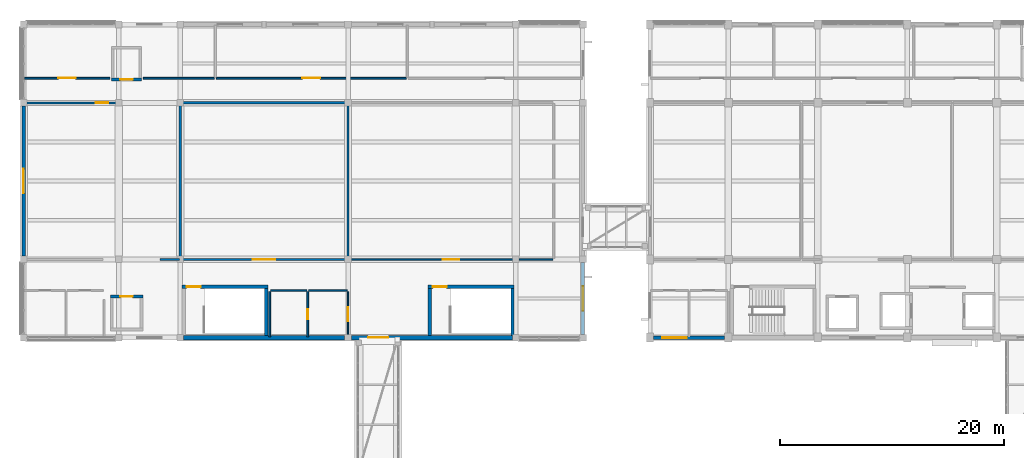
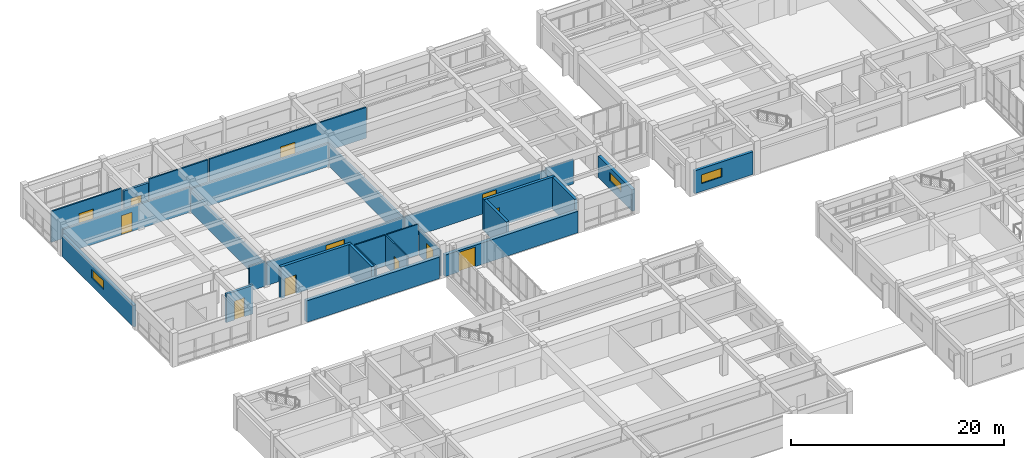
# One storey, part 46 of 66: 28 walls, 12 doors, 3 windows, 15 openings.
"""IFC4 building model written with IfcOpenShell, lengths in metres."""

from ifc_helpers import new_model, si_unit, direction, frame, frame_2d, origin, place, context, subcontext, project, spatial, rectangle, extrude, material, layer, layer_set, type_object, element, fill, save


model = new_model("IFC4")

# Units and contexts
model_context = context("Model", 3, precision=1e-05, world=origin(), true_north=direction((0.0, 1.0)))
body_context = subcontext(model_context, "Body", "Model", "MODEL_VIEW")
ifc_project = project(units=[si_unit("LENGTHUNIT", "METRE"), si_unit("AREAUNIT", "SQUARE_METRE"), si_unit("VOLUMEUNIT", "CUBIC_METRE"), si_unit("PLANEANGLEUNIT", "RADIAN"), si_unit("MASSUNIT", "GRAM", prefix="KILO")], contexts=[model_context])

# Site, building, storey
site_placement = place(None, origin())
site = spatial("IfcSite", under=ifc_project, at=site_placement, CompositionType="ELEMENT")
building_placement = place(site_placement, origin())
building = spatial("IfcBuilding", under=site, at=building_placement, Name="Naurynzar Civic Courthouse", CompositionType="ELEMENT")
storey_placement = place(building_placement, frame((0.0, 0.0, 14.39990234375)))
storey = spatial("IfcBuildingStorey", under=building, at=storey_placement, Name="L04", CompositionType="ELEMENT", Elevation=14.39990234375)

# Wall, opening, door
ifc_material_1 = material(Name="Acoustic Double-Stud Gypsum Partition")
ifc_layer_1 = layer(ifc_material_1, 0.18994140625)
ifc_layer_set_1 = layer_set([ifc_layer_1], Name="WL-ACOUSTIC-190")
wall_type_1 = type_object("IfcWallType", Name="WL-ACOUSTIC-190", PredefinedType="PARTITIONING", material=ifc_layer_set_1)
wall_1_placement = place(storey_placement, frame((20.080078125, 51.0, 0.0), z_axis=(0.0, 0.0, 1.0), x_axis=(1.0, 0.0, 0.0)))
wall_1 = element("IfcWall", 1, at=wall_1_placement, inside=storey, type_object=wall_type_1, Name="V1 interior partition L04.482", PredefinedType="PARTITIONING", context=body_context, shape_type="SweptSolid", body=[
    extrude(rectangle(XDim=14.83984375, YDim=0.18994140625, at=frame_2d((7.419921875, 0.0))), origin(), (0.0, 0.0, 1.0), 2.630126953125),
])
opening_1_placement = place(wall_1_placement, frame((6.419921875, 0.0, 0.0)))
opening_1 = element("IfcOpeningElement", 2, at=opening_1_placement, cuts=wall_1, Name="Opening D-043", PredefinedType="OPENING", context=body_context, shape_type="SweptSolid", body=[
    extrude(rectangle(XDim=2.0, YDim=2.35009765625, at=frame_2d((1.0, 1.175048828125))), frame((0.0, 0.10498046875, 0.0), z_axis=(0.0, -1.0, 0.0), x_axis=(1.0, 0.0, 0.0)), (0.0, 0.0, 1.0), 0.2099609375),
])
ifc_material_2 = material(Name="Acoustic Oak Timber Grade A", Category="wood")
door_type_1 = type_object("IfcDoorType", Name="DR-COURT-DBL-2000x2350", OperationType="DOUBLE_DOOR_SINGLE_SWING", PredefinedType="DOOR", material=ifc_material_2)
door_1_placement = place(opening_1_placement, origin())
door_1 = element("IfcDoor", 3, at=door_1_placement, inside=storey, type_object=door_type_1, Name="Interior door D-043 (Appellate Plenary Hearing Courtroom)", OperationType="DOUBLE_DOOR_SINGLE_SWING", OverallHeight=2.35009765625, OverallWidth=2.0, PredefinedType="DOOR", context=body_context, shape_type="SweptSolid", body=[
    extrude(rectangle(XDim=2.0, YDim=2.35009765625, at=frame_2d((1.0, 1.175048828125))), frame((0.0, 0.02490234375, 0.0), z_axis=(0.0, -1.0, 0.0), x_axis=(1.0, 0.0, 0.0)), (0.0, 0.0, 1.0), 0.050048828125),
])
fill(opening_1, door_1)

# Walls
wall_2_placement = place(storey_placement, frame((20.080078125, 65.0, 0.0), z_axis=(0.0, 0.0, 1.0), x_axis=(1.0, 0.0, 0.0)))
element("IfcWall", 4, at=wall_2_placement, inside=storey, type_object=wall_type_1, Name="V1 interior partition L04.494", PredefinedType="PARTITIONING", context=body_context, shape_type="SweptSolid", body=[
    extrude(rectangle(XDim=14.83984375, YDim=0.18994140625, at=frame_2d((7.419921875, 0.0))), origin(), (0.0, 0.0, 1.0), 2.630126953125),
])
for number, where, z_axis, x_axis, name in (
    (5, (20.0, 51.080078125, 0.0), (0.0, 0.0, 1.0), (0.0, 1.0, 0.0), "V1 interior partition L04.517"),
    (6, (35.0, 51.080078125, 0.0), (0.0, 0.0, 1.0), (0.0, 1.0, 0.0), "V1 interior partition L04.525"),
):
    element("IfcWall", number, at=place(storey_placement, frame(where, z_axis=z_axis, x_axis=x_axis)), inside=storey, type_object=wall_type_1, Name=name, PredefinedType="PARTITIONING", context=body_context, shape_type="SweptSolid", body=[
        extrude(rectangle(XDim=13.83984375, YDim=0.18994140625, at=frame_2d((6.919921875, 0.0))), origin(), (0.0, 0.0, 1.0), 2.47998046875),
    ])

# Wall, opening, door
ifc_material_3 = material(Name="Concrete C40/50", Category="concrete")
ifc_layer_2 = layer(ifc_material_3, 0.300048828125)
ifc_layer_set_2 = layer_set([ifc_layer_2], Name="WL-CORE-300")
wall_type_2 = type_object("IfcWallType", Name="WL-CORE-300", PredefinedType="SHEAR", material=ifc_layer_set_2)
wall_3_placement = place(storey_placement, frame((27.85009765625, 48.550048828125, 0.0), z_axis=(0.0, 0.0, 1.0), x_axis=(-1.0, 0.0, 0.0)))
wall_3 = element("IfcWall", 7, at=wall_3_placement, inside=storey, type_object=wall_type_2, Name="Stair ST-V1A enclosure wall north L04", PredefinedType="SHEAR", context=body_context, shape_type="SweptSolid", body=[
    extrude(rectangle(XDim=7.7001953125, YDim=0.300048828125, at=frame_2d((3.85009765625, 0.0))), origin(), (0.0, 0.0, 1.0), 3.6201171875),
])
opening_2_placement = place(wall_3_placement, frame((6.02490234375, 0.0, 0.0)))
opening_2 = element("IfcOpeningElement", 8, at=opening_2_placement, cuts=wall_3, Name="Opening SD-005", PredefinedType="OPENING", context=body_context, shape_type="SweptSolid", body=[
    extrude(rectangle(XDim=1.25, YDim=2.14990234375, at=frame_2d((0.625, 1.074951171875))), frame((0.0, 0.159912109375, 0.0), z_axis=(0.0, -1.0, 0.0), x_axis=(1.0, 0.0, 0.0)), (0.0, 0.0, 1.0), 0.320068359375),
])
ifc_material_4 = material(Name="Powder-Coated Galvanised Steel", Category="steel")
door_type_2 = type_object("IfcDoorType", Name="DR-STAIR-1250x2150", OperationType="NOTDEFINED", PredefinedType="DOOR", material=ifc_material_4)
door_2_placement = place(opening_2_placement, origin())
door_2 = element("IfcDoor", 9, at=door_2_placement, inside=storey, type_object=door_type_2, Name="Stair ST-V1A fire door L04", OperationType="SINGLE_SWING_LEFT", OverallHeight=2.14990234375, OverallWidth=1.25, PredefinedType="DOOR", context=body_context, shape_type="SweptSolid", body=[
    extrude(rectangle(XDim=1.25, YDim=2.14990234375, at=frame_2d((0.625, 1.074951171875))), frame((0.0, 0.02490234375, 0.0), z_axis=(0.0, -1.0, 0.0), x_axis=(1.0, 0.0, 0.0)), (0.0, 0.0, 1.0), 0.050048828125),
])
fill(opening_2, door_2)

# Wall
wall_4_placement = place(storey_placement, frame((27.699951171875, 44.195068359375, 0.0), z_axis=(0.0, 0.0, 1.0), x_axis=(0.0, 1.0, 0.0)))
element("IfcWall", 10, at=wall_4_placement, inside=storey, type_object=wall_type_2, Name="Stair ST-V1A enclosure wall east L04", PredefinedType="SHEAR", context=body_context, shape_type="SweptSolid", body=[
    extrude(rectangle(XDim=4.199951171875, YDim=0.300048828125, at=frame_2d((2.10009765625, 0.0))), origin(), (0.0, 0.0, 1.0), 3.6201171875),
])

# Wall, opening, door
wall_5_placement = place(storey_placement, frame((49.85009765625, 48.550048828125, 0.0), z_axis=(0.0, 0.0, 1.0), x_axis=(-1.0, 0.0, 0.0)))
wall_5 = element("IfcWall", 11, at=wall_5_placement, inside=storey, type_object=wall_type_2, Name="Stair ST-V1B enclosure wall north L04", PredefinedType="SHEAR", context=body_context, shape_type="SweptSolid", body=[
    extrude(rectangle(XDim=7.7001953125, YDim=0.300048828125, at=frame_2d((3.85009765625, 0.0))), origin(), (0.0, 0.0, 1.0), 3.6201171875),
])
opening_3_placement = place(wall_5_placement, frame((6.02490234375, 0.0, 0.0)))
opening_3 = element("IfcOpeningElement", 12, at=opening_3_placement, cuts=wall_5, Name="Opening SD-010", PredefinedType="OPENING", context=body_context, shape_type="SweptSolid", body=[
    extrude(rectangle(XDim=1.25, YDim=2.14990234375, at=frame_2d((0.625, 1.074951171875))), frame((0.0, 0.159912109375, 0.0), z_axis=(0.0, -1.0, 0.0), x_axis=(1.0, 0.0, 0.0)), (0.0, 0.0, 1.0), 0.320068359375),
])
door_3_placement = place(opening_3_placement, origin())
door_3 = element("IfcDoor", 13, at=door_3_placement, inside=storey, type_object=door_type_2, Name="Stair ST-V1B fire door L04", OperationType="SINGLE_SWING_RIGHT", OverallHeight=2.14990234375, OverallWidth=1.25, PredefinedType="DOOR", context=body_context, shape_type="SweptSolid", body=[
    extrude(rectangle(XDim=1.25, YDim=2.14990234375, at=frame_2d((0.625, 1.074951171875))), frame((0.0, 0.02490234375, 0.0), z_axis=(0.0, -1.0, 0.0), x_axis=(1.0, 0.0, 0.0)), (0.0, 0.0, 1.0), 0.050048828125),
])
fill(opening_3, door_3)

# Walls
for number, where, z_axis, x_axis, name in (
    (14, (42.300048828125, 48.39501953125, 0.0), (0.0, 0.0, 1.0), (0.0, -1.0, 0.0), "Stair ST-V1B enclosure wall west L04"),
    (15, (49.699951171875, 44.195068359375, 0.0), (0.0, 0.0, 1.0), (0.0, 1.0, 0.0), "Stair ST-V1B enclosure wall east L04"),
):
    element("IfcWall", number, at=place(storey_placement, frame(where, z_axis=z_axis, x_axis=x_axis)), inside=storey, type_object=wall_type_2, Name=name, PredefinedType="SHEAR", context=body_context, shape_type="SweptSolid", body=[
        extrude(rectangle(XDim=4.199951171875, YDim=0.300048828125, at=frame_2d((2.10009765625, 0.0))), origin(), (0.0, 0.0, 1.0), 3.6201171875),
    ])

# Wall, opening, window
ifc_material_5 = material(Name="Precast concrete C40/50", Category="concrete")
ifc_layer_3 = layer(ifc_material_5, 0.300048828125)
ifc_layer_set_3 = layer_set([ifc_layer_3], Name="WL-EXT-300")
wall_type_3 = type_object("IfcWallType", Name="WL-EXT-300", PredefinedType="SOLIDWALL", material=ifc_layer_set_3)
wall_6_placement = place(storey_placement, frame((68.675048828125, 44.0, 0.0), z_axis=(0.0, 0.0, 1.0), x_axis=(-1.0, 0.0, 0.0)))
wall_6 = element("IfcWall", 16, at=wall_6_placement, inside=storey, type_object=wall_type_3, Name="V2 exterior wall south L04.8.1", PredefinedType="SOLIDWALL", context=body_context, shape_type="SweptSolid", body=[
    extrude(rectangle(XDim=6.35009765625, YDim=0.300048828125, at=frame_2d((3.175048828125, 0.0))), origin(), (0.0, 0.0, 1.0), 2.610107421875),
])
opening_4_placement = place(wall_6_placement, frame((3.39501953125, 0.0, 0.89990234375)))
opening_4 = element("IfcOpeningElement", 17, at=opening_4_placement, cuts=wall_6, Name="Opening WN-18", PredefinedType="OPENING", context=body_context, shape_type="SweptSolid", body=[
    extrude(rectangle(XDim=2.199951171875, YDim=1.0, at=frame_2d((1.10009765625, 0.5))), frame((0.0, 0.159912109375, 0.0), z_axis=(0.0, -1.0, 0.0), x_axis=(1.0, 0.0, 0.0)), (0.0, 0.0, 1.0), 0.320068359375),
])
ifc_material_6 = material(Name="Tempered Laminated Low-E Glass", Category="glass")
window_type = type_object("IfcWindowType", Name="WIN-CLER-2200x1000", PartitioningType="DOUBLE_PANEL_VERTICAL", PredefinedType="WINDOW", material=ifc_material_6)
window_1_placement = place(opening_4_placement, origin())
window_1 = element("IfcWindow", 18, at=window_1_placement, inside=storey, type_object=window_type, Name="V2 window 81 L04", OverallHeight=1.0, OverallWidth=2.199951171875, PartitioningType="SINGLE_PANEL", PredefinedType="WINDOW", context=body_context, shape_type="SweptSolid", body=[
    extrude(rectangle(XDim=2.199951171875, YDim=1.0, at=frame_2d((1.10009765625, 0.5))), frame((0.0, 0.030029296875, 0.0), z_axis=(0.0, -1.0, 0.0), x_axis=(1.0, 0.0, 0.0)), (0.0, 0.0, 1.0), 0.06005859375),
])
fill(opening_4, window_1)

ifc_material_7 = material(Name="Precast concrete C40/50", Category="concrete")
ifc_layer_4 = layer(ifc_material_7, 0.320068359375)
ifc_layer_set_4 = layer_set([ifc_layer_4], Name="WL-EXT-320")
wall_type_4 = type_object("IfcWallType", Name="WL-EXT-320", PredefinedType="SOLIDWALL", material=ifc_layer_set_4)
wall_7_placement = place(storey_placement, frame((6.0, 51.300048828125, 0.0), z_axis=(0.0, 0.0, 1.0), x_axis=(0.0, 1.0, 0.0)))
wall_7 = element("IfcWall", 19, at=wall_7_placement, inside=storey, type_object=wall_type_4, Name="V1 exterior wall west L04.2.1", PredefinedType="SOLIDWALL", context=body_context, shape_type="SweptSolid", body=[
    extrude(rectangle(XDim=13.39990234375, YDim=0.320068359375, at=frame_2d((6.699951171875, 0.0))), origin(), (0.0, 0.0, 1.0), 2.460205078125),
])
opening_5_placement = place(wall_7_placement, frame((5.60009765625, 0.0, 0.89990234375)))
opening_5 = element("IfcOpeningElement", 20, at=opening_5_placement, cuts=wall_7, Name="Opening WN-18", PredefinedType="OPENING", context=body_context, shape_type="SweptSolid", body=[
    extrude(rectangle(XDim=2.199951171875, YDim=1.0, at=frame_2d((1.10009765625, 0.5))), frame((0.0, 0.169921875, 0.0), z_axis=(0.0, -1.0, 0.0), x_axis=(1.0, 0.0, 0.0)), (0.0, 0.0, 1.0), 0.340087890625),
])
window_2_placement = place(opening_5_placement, origin())
window_2 = element("IfcWindow", 21, at=window_2_placement, inside=storey, type_object=window_type, Name="V1 window 30 L04", OverallHeight=1.0, OverallWidth=2.199951171875, PartitioningType="SINGLE_PANEL", PredefinedType="WINDOW", context=body_context, shape_type="SweptSolid", body=[
    extrude(rectangle(XDim=2.199951171875, YDim=1.0, at=frame_2d((1.10009765625, 0.5))), frame((0.0, 0.030029296875, 0.0), z_axis=(0.0, -1.0, 0.0), x_axis=(1.0, 0.0, 0.0)), (0.0, 0.0, 1.0), 0.06005859375),
])
fill(opening_5, window_2)

wall_8_placement = place(storey_placement, frame((56.0, 50.699951171875, 0.0), z_axis=(0.0, 0.0, 1.0), x_axis=(0.0, -1.0, 0.0)))
wall_8 = element("IfcWall", 22, at=wall_8_placement, inside=storey, type_object=wall_type_4, Name="V1 exterior wall east L04.3.1", PredefinedType="SOLIDWALL", context=body_context, shape_type="SweptSolid", body=[
    extrude(rectangle(XDim=6.39990234375, YDim=0.320068359375, at=frame_2d((3.199951171875, 0.0))), origin(), (0.0, 0.0, 1.0), 2.460205078125),
])
opening_6_placement = place(wall_8_placement, frame((2.10009765625, 0.0, 0.89990234375)))
opening_6 = element("IfcOpeningElement", 23, at=opening_6_placement, cuts=wall_8, Name="Opening WN-18", PredefinedType="OPENING", context=body_context, shape_type="SweptSolid", body=[
    extrude(rectangle(XDim=2.199951171875, YDim=1.0, at=frame_2d((1.10009765625, 0.5))), frame((0.0, 0.169921875, 0.0), z_axis=(0.0, -1.0, 0.0), x_axis=(1.0, 0.0, 0.0)), (0.0, 0.0, 1.0), 0.340087890625),
])
window_3_placement = place(opening_6_placement, origin())
window_3 = element("IfcWindow", 24, at=window_3_placement, inside=storey, type_object=window_type, Name="V1 window 37 L04", OverallHeight=1.0, OverallWidth=2.199951171875, PartitioningType="SINGLE_PANEL", PredefinedType="WINDOW", context=body_context, shape_type="SweptSolid", body=[
    extrude(rectangle(XDim=2.199951171875, YDim=1.0, at=frame_2d((1.10009765625, 0.5))), frame((0.0, 0.030029296875, 0.0), z_axis=(0.0, -1.0, 0.0), x_axis=(1.0, 0.0, 0.0)), (0.0, 0.0, 1.0), 0.06005859375),
])
fill(opening_6, window_3)

# Wall, opening, door
ifc_material_8 = material(Name="Insulated Metal-Stud Gypsum Partition")
ifc_layer_5 = layer(ifc_material_8, 0.159912109375)
ifc_layer_set_5 = layer_set([ifc_layer_5], Name="WL-PART-CHAMB-160")
wall_type_5 = type_object("IfcWallType", Name="WL-PART-CHAMB-160", PredefinedType="PARTITIONING", material=ifc_layer_set_5)
wall_9_placement = place(storey_placement, frame((6.080078125, 67.199951171875, 0.0), z_axis=(0.0, 0.0, 1.0), x_axis=(1.0, 0.0, 0.0)))
wall_9 = element("IfcWall", 25, at=wall_9_placement, inside=storey, type_object=wall_type_5, Name="V1 interior partition L04.503", PredefinedType="PARTITIONING", context=body_context, shape_type="SweptSolid", body=[
    extrude(rectangle(XDim=7.619873046875, YDim=0.159912109375, at=frame_2d((3.81005859375, 0.0))), origin(), (0.0, 0.0, 1.0), 3.5400390625),
])
opening_7_placement = place(wall_9_placement, frame((3.034912109375, 0.0, 0.0)))
opening_7 = element("IfcOpeningElement", 26, at=opening_7_placement, cuts=wall_9, Name="Opening D-046", PredefinedType="OPENING", context=body_context, shape_type="SweptSolid", body=[
    extrude(rectangle(XDim=1.550048828125, YDim=2.25, at=frame_2d((0.77490234375, 1.125))), frame((0.0, 0.08984375, 0.0), z_axis=(0.0, -1.0, 0.0), x_axis=(1.0, 0.0, 0.0)), (0.0, 0.0, 1.0), 0.179931640625),
])
ifc_material_9 = material(Name="Acoustic Oak Timber Grade A", Category="wood")
door_type_3 = type_object("IfcDoorType", Name="DR-SUITE-1550x2250", OperationType="DOUBLE_DOOR_SINGLE_SWING", PredefinedType="DOOR", material=ifc_material_9)
door_4_placement = place(opening_7_placement, origin())
door_4 = element("IfcDoor", 27, at=door_4_placement, inside=storey, type_object=door_type_3, Name="Interior door D-046 (Appellate Judges' Chambers 1)", OperationType="DOUBLE_DOOR_SINGLE_SWING", OverallHeight=2.25, OverallWidth=1.550048828125, PredefinedType="DOOR", context=body_context, shape_type="SweptSolid", body=[
    extrude(rectangle(XDim=1.550048828125, YDim=2.25, at=frame_2d((0.77490234375, 1.125))), frame((0.0, 0.02490234375, 0.0), z_axis=(0.0, -1.0, 0.0), x_axis=(1.0, 0.0, 0.0)), (0.0, 0.0, 1.0), 0.050048828125),
])
fill(opening_7, door_4)

# Wall
wall_10_placement = place(storey_placement, frame((16.699951171875, 67.199951171875, 0.0), z_axis=(0.0, 0.0, 1.0), x_axis=(1.0, 0.0, 0.0)))
element("IfcWall", 28, at=wall_10_placement, inside=storey, type_object=wall_type_5, Name="V1 interior partition L04.504", PredefinedType="PARTITIONING", context=body_context, shape_type="SweptSolid", body=[
    extrude(rectangle(XDim=6.360107421875, YDim=0.159912109375, at=frame_2d((3.18017578125, 0.0))), origin(), (0.0, 0.0, 1.0), 3.5400390625),
])

# Wall, opening, door
wall_11_placement = place(storey_placement, frame((23.219970703125, 67.199951171875, 0.0), z_axis=(0.0, 0.0, 1.0), x_axis=(1.0, 0.0, 0.0)))
wall_11 = element("IfcWall", 29, at=wall_11_placement, inside=storey, type_object=wall_type_5, Name="V1 interior partition L04.505", PredefinedType="PARTITIONING", context=body_context, shape_type="SweptSolid", body=[
    extrude(rectangle(XDim=16.989990234375, YDim=0.159912109375, at=frame_2d((8.4951171875, 0.0))), origin(), (0.0, 0.0, 1.0), 3.5400390625),
])
opening_8_placement = place(wall_11_placement, frame((7.695068359375, 0.0, 0.0)))
opening_8 = element("IfcOpeningElement", 30, at=opening_8_placement, cuts=wall_11, Name="Opening D-047", PredefinedType="OPENING", context=body_context, shape_type="SweptSolid", body=[
    extrude(rectangle(XDim=1.60009765625, YDim=2.25, at=frame_2d((0.800048828125, 1.125))), frame((0.0, 0.08984375, 0.0), z_axis=(0.0, -1.0, 0.0), x_axis=(1.0, 0.0, 0.0)), (0.0, 0.0, 1.0), 0.179931640625),
])
ifc_material_10 = material(Name="Acoustic Oak Timber Grade A", Category="wood")
door_type_4 = type_object("IfcDoorType", Name="DR-SUITE-1600x2250", OperationType="DOUBLE_DOOR_SINGLE_SWING", PredefinedType="DOOR", material=ifc_material_10)
door_5_placement = place(opening_8_placement, origin())
door_5 = element("IfcDoor", 31, at=door_5_placement, inside=storey, type_object=door_type_4, Name="Interior door D-047 (Appellate Judges' Chambers 2)", OperationType="DOUBLE_DOOR_SINGLE_SWING", OverallHeight=2.25, OverallWidth=1.60009765625, PredefinedType="DOOR", context=body_context, shape_type="SweptSolid", body=[
    extrude(rectangle(XDim=1.60009765625, YDim=2.25, at=frame_2d((0.800048828125, 1.125))), frame((0.0, 0.02490234375, 0.0), z_axis=(0.0, -1.0, 0.0), x_axis=(1.0, 0.0, 0.0)), (0.0, 0.0, 1.0), 0.050048828125),
])
fill(opening_8, door_5)

ifc_material_11 = material(Name="Fire-Rated Corridor Gypsum Partition")
ifc_layer_6 = layer(ifc_material_11, 0.14990234375)
ifc_layer_set_6 = layer_set([ifc_layer_6], Name="WL-PART-CORR-150")
wall_type_6 = type_object("IfcWallType", Name="WL-PART-CORR-150", PredefinedType="PARTITIONING", material=ifc_layer_set_6)
wall_12_placement = place(storey_placement, frame((35.080078125, 51.0, 0.0), z_axis=(0.0, 0.0, 1.0), x_axis=(1.0, 0.0, 0.0)))
wall_12 = element("IfcWall", 32, at=wall_12_placement, inside=storey, type_object=wall_type_6, Name="V1 interior partition L04.483a", PredefinedType="PARTITIONING", context=body_context, shape_type="SweptSolid", body=[
    extrude(rectangle(XDim=15.219970703125, YDim=0.14990234375, at=frame_2d((7.60986328125, 0.0))), origin(), (0.0, 0.0, 1.0), 2.630126953125),
])
opening_9_placement = place(wall_12_placement, frame((8.3701171875, 0.0, 0.0)))
opening_9 = element("IfcOpeningElement", 33, at=opening_9_placement, cuts=wall_12, Name="Opening D-045", PredefinedType="OPENING", context=body_context, shape_type="SweptSolid", body=[
    extrude(rectangle(XDim=1.5, YDim=2.25, at=frame_2d((0.75, 1.125))), frame((0.0, 0.0849609375, 0.0), z_axis=(0.0, -1.0, 0.0), x_axis=(1.0, 0.0, 0.0)), (0.0, 0.0, 1.0), 0.169921875),
])
ifc_material_12 = material(Name="Acoustic Oak Timber Grade A", Category="wood")
door_type_5 = type_object("IfcDoorType", Name="DR-SUITE-1500x2250", OperationType="NOTDEFINED", PredefinedType="DOOR", material=ifc_material_12)
door_6_placement = place(opening_9_placement, origin())
door_6 = element("IfcDoor", 34, at=door_6_placement, inside=storey, type_object=door_type_5, Name="Interior door D-045 (Appellate Counsel Room)", OperationType="SINGLE_SWING_LEFT", OverallHeight=2.25, OverallWidth=1.5, PredefinedType="DOOR", context=body_context, shape_type="SweptSolid", body=[
    extrude(rectangle(XDim=1.5, YDim=2.25, at=frame_2d((0.75, 1.125))), frame((0.0, 0.02490234375, 0.0), z_axis=(0.0, -1.0, 0.0), x_axis=(1.0, 0.0, 0.0)), (0.0, 0.0, 1.0), 0.050048828125),
])
fill(opening_9, door_6)

# Walls
wall_13_placement = place(storey_placement, frame((50.300048828125, 51.0, 0.0), z_axis=(0.0, 0.0, 1.0), x_axis=(1.0, 0.0, 0.0)))
element("IfcWall", 35, at=wall_13_placement, inside=storey, type_object=wall_type_6, Name="V1 interior partition L04.483ab", PredefinedType="PARTITIONING", context=body_context, shape_type="SweptSolid", body=[
    extrude(rectangle(XDim=3.02001953125, YDim=0.14990234375, at=frame_2d((1.510009765625, 0.0))), origin(), (0.0, 0.0, 1.0), 2.830078125),
])
ifc_material_13 = material(Name="Acoustic Double-Stud Gypsum Partition")
ifc_layer_7 = layer(ifc_material_13, 0.179931640625)
ifc_layer_set_7 = layer_set([ifc_layer_7], Name="WL-PART-JURY-180")
wall_type_7 = type_object("IfcWallType", Name="WL-PART-JURY-180", PredefinedType="PARTITIONING", material=ifc_layer_set_7)
wall_14_placement = place(storey_placement, frame((18.199951171875, 51.0, 0.0), z_axis=(0.0, 0.0, 1.0), x_axis=(1.0, 0.0, 0.0)))
element("IfcWall", 36, at=wall_14_placement, inside=storey, type_object=wall_type_7, Name="V1 interior partition L04.481", PredefinedType="PARTITIONING", context=body_context, shape_type="SweptSolid", body=[
    extrude(rectangle(XDim=1.719970703125, YDim=0.179931640625, at=frame_2d((0.85986328125, 0.0))), origin(), (0.0, 0.0, 1.0), 2.830078125),
])

# Wall, opening, door
wall_15_placement = place(storey_placement, frame((6.080078125, 65.0, 0.0), z_axis=(0.0, 0.0, 1.0), x_axis=(1.0, 0.0, 0.0)))
wall_15 = element("IfcWall", 37, at=wall_15_placement, inside=storey, type_object=wall_type_7, Name="V1 interior partition L04.493", PredefinedType="PARTITIONING", context=body_context, shape_type="SweptSolid", body=[
    extrude(rectangle(XDim=13.83984375, YDim=0.179931640625, at=frame_2d((6.919921875, 0.0))), origin(), (0.0, 0.0, 1.0), 2.830078125),
])
opening_10_placement = place(wall_15_placement, frame((6.344970703125, 0.0, 0.0)))
opening_10 = element("IfcOpeningElement", 38, at=opening_10_placement, cuts=wall_15, Name="Opening D-044", PredefinedType="OPENING", context=body_context, shape_type="SweptSolid", body=[
    extrude(rectangle(XDim=1.14990234375, YDim=2.199951171875, at=frame_2d((0.574951171875, 1.10009765625))), frame((0.0, 0.099853515625, 0.0), z_axis=(0.0, -1.0, 0.0), x_axis=(1.0, 0.0, 0.0)), (0.0, 0.0, 1.0), 0.199951171875),
])
ifc_material_14 = material(Name="Acoustic Oak Timber Grade A", Category="wood")
door_type_6 = type_object("IfcDoorType", Name="DR-JURY-1150x2200", OperationType="NOTDEFINED", PredefinedType="DOOR", material=ifc_material_14)
door_7_placement = place(opening_10_placement, origin())
door_7 = element("IfcDoor", 39, at=door_7_placement, inside=storey, type_object=door_type_6, Name="Interior door D-044 (Appellate Jury Room)", OperationType="SINGLE_SWING_RIGHT", OverallHeight=2.199951171875, OverallWidth=1.14990234375, PredefinedType="DOOR", context=body_context, shape_type="SweptSolid", body=[
    extrude(rectangle(XDim=1.14990234375, YDim=2.199951171875, at=frame_2d((0.574951171875, 1.10009765625))), frame((0.0, 0.02490234375, 0.0), z_axis=(0.0, -1.0, 0.0), x_axis=(1.0, 0.0, 0.0)), (0.0, 0.0, 1.0), 0.050048828125),
])
fill(opening_10, door_7)

# Wall
ifc_material_15 = material(Name="Metal-Stud Gypsum Partition")
ifc_layer_8 = layer(ifc_material_15, 0.125)
ifc_layer_set_8 = layer_set([ifc_layer_8], Name="WL-PART-STD-125")
wall_type_8 = type_object("IfcWallType", Name="WL-PART-STD-125", PredefinedType="PARTITIONING", material=ifc_layer_set_8)
wall_16_placement = place(storey_placement, frame((31.47998046875, 48.199951171875, 0.0), z_axis=(0.0, 0.0, 1.0), x_axis=(1.0, 0.0, 0.0)))
element("IfcWall", 40, at=wall_16_placement, inside=storey, type_object=wall_type_8, Name="V1 interior partition L04.475", PredefinedType="PARTITIONING", context=body_context, shape_type="SweptSolid", body=[
    extrude(rectangle(XDim=3.43994140625, YDim=0.125, at=frame_2d((1.719970703125, 0.0))), origin(), (0.0, 0.0, 1.0), 3.5400390625),
])

# Wall, opening, door
wall_17_placement = place(storey_placement, frame((35.0, 44.080078125, 0.0), z_axis=(0.0, 0.0, 1.0), x_axis=(0.0, 1.0, 0.0)))
wall_17 = element("IfcWall", 41, at=wall_17_placement, inside=storey, type_object=wall_type_8, Name="V1 interior partition L04.524", PredefinedType="PARTITIONING", context=body_context, shape_type="SweptSolid", body=[
    extrude(rectangle(XDim=4.0400390625, YDim=0.125, at=frame_2d((2.02001953125, 0.0))), origin(), (0.0, 0.0, 1.0), 2.93017578125),
])
opening_11_placement = place(wall_17_placement, frame((1.409912109375, 0.0, 0.0)))
opening_11 = element("IfcOpeningElement", 42, at=opening_11_placement, cuts=wall_17, Name="Opening D-042", PredefinedType="OPENING", context=body_context, shape_type="SweptSolid", body=[
    extrude(rectangle(XDim=1.219970703125, YDim=2.199951171875, at=frame_2d((0.60986328125, 1.10009765625))), frame((0.0, 0.072509765625, 0.0), z_axis=(0.0, -1.0, 0.0), x_axis=(1.0, 0.0, 0.0)), (0.0, 0.0, 1.0), 0.14501953125),
])
ifc_material_16 = material(Name="Acoustic Oak Timber Grade A", Category="wood")
door_type_7 = type_object("IfcDoorType", Name="DR-SUITE-1220x2200", OperationType="NOTDEFINED", PredefinedType="DOOR", material=ifc_material_16)
door_8_placement = place(opening_11_placement, origin())
door_8 = element("IfcDoor", 43, at=door_8_placement, inside=storey, type_object=door_type_7, Name="Interior door D-042 (Ceremonial Waiting Lounge)", OperationType="SINGLE_SWING_RIGHT", OverallHeight=2.199951171875, OverallWidth=1.219970703125, PredefinedType="DOOR", context=body_context, shape_type="SweptSolid", body=[
    extrude(rectangle(XDim=1.219970703125, YDim=2.199951171875, at=frame_2d((0.60986328125, 1.10009765625))), frame((0.0, 0.02490234375, 0.0), z_axis=(0.0, -1.0, 0.0), x_axis=(1.0, 0.0, 0.0)), (0.0, 0.0, 1.0), 0.050048828125),
])
fill(opening_11, door_8)

# Walls
ifc_material_17 = material(Name="Moisture-Resistant Plumbing Partition")
ifc_layer_9 = layer(ifc_material_17, 0.139892578125)
ifc_layer_set_9 = layer_set([ifc_layer_9], Name="WL-PART-WC-140")
wall_type_9 = type_object("IfcWallType", Name="WL-PART-WC-140", PredefinedType="PLUMBINGWALL", material=ifc_layer_set_9)
wall_18_placement = place(storey_placement, frame((28.080078125, 48.199951171875, 0.0), z_axis=(0.0, 0.0, 1.0), x_axis=(1.0, 0.0, 0.0)))
element("IfcWall", 44, at=wall_18_placement, inside=storey, type_object=wall_type_9, Name="V1 interior partition L04.474", PredefinedType="PLUMBINGWALL", context=body_context, shape_type="SweptSolid", body=[
    extrude(rectangle(XDim=3.239990234375, YDim=0.139892578125, at=frame_2d((1.6201171875, 0.0))), origin(), (0.0, 0.0, 1.0), 3.5400390625),
])
wall_19_placement = place(storey_placement, frame((28.0, 44.080078125, 0.0), z_axis=(0.0, 0.0, 1.0), x_axis=(0.0, 1.0, 0.0)))
element("IfcWall", 45, at=wall_19_placement, inside=storey, type_object=wall_type_9, Name="V1 interior partition L04.522", PredefinedType="PLUMBINGWALL", context=body_context, shape_type="SweptSolid", body=[
    extrude(rectangle(XDim=4.0400390625, YDim=0.139892578125, at=frame_2d((2.02001953125, 0.0))), origin(), (0.0, 0.0, 1.0), 3.5400390625),
])

# Wall, opening, door
wall_20_placement = place(storey_placement, frame((31.39990234375, 44.080078125, 0.0), z_axis=(0.0, 0.0, 1.0), x_axis=(0.0, 1.0, 0.0)))
wall_20 = element("IfcWall", 46, at=wall_20_placement, inside=storey, type_object=wall_type_9, Name="V1 interior partition L04.523", PredefinedType="PLUMBINGWALL", context=body_context, shape_type="SweptSolid", body=[
    extrude(rectangle(XDim=4.0400390625, YDim=0.139892578125, at=frame_2d((2.02001953125, 0.0))), origin(), (0.0, 0.0, 1.0), 3.5400390625),
])
opening_12_placement = place(wall_20_placement, frame((1.56005859375, 0.0, 0.0)))
opening_12 = element("IfcOpeningElement", 47, at=opening_12_placement, cuts=wall_20, Name="Opening D-041", PredefinedType="OPENING", context=body_context, shape_type="SweptSolid", body=[
    extrude(rectangle(XDim=0.919921875, YDim=2.10009765625, at=frame_2d((0.4599609375, 1.050048828125))), frame((0.0, 0.079833984375, 0.0), z_axis=(0.0, -1.0, 0.0), x_axis=(1.0, 0.0, 0.0)), (0.0, 0.0, 1.0), 0.159912109375),
])
ifc_material_18 = material(Name="Acoustic Oak Timber Grade A", Category="wood")
door_type_8 = type_object("IfcDoorType", Name="DR-WC-STD-920x2100", OperationType="NOTDEFINED", PredefinedType="DOOR", material=ifc_material_18)
door_9_placement = place(opening_12_placement, origin())
door_9 = element("IfcDoor", 48, at=door_9_placement, inside=storey, type_object=door_type_8, Name="Interior door D-041 (Staff WC V1)", OperationType="SINGLE_SWING_LEFT", OverallHeight=2.10009765625, OverallWidth=0.919921875, PredefinedType="DOOR", context=body_context, shape_type="SweptSolid", body=[
    extrude(rectangle(XDim=0.919921875, YDim=2.10009765625, at=frame_2d((0.4599609375, 1.050048828125))), frame((0.0, 0.02490234375, 0.0), z_axis=(0.0, -1.0, 0.0), x_axis=(1.0, 0.0, 0.0)), (0.0, 0.0, 1.0), 0.050048828125),
])
fill(opening_12, door_9)

ifc_material_19 = material(Name="Concrete C40/50", Category="concrete")
ifc_layer_10 = layer(ifc_material_19, 0.3798828125)
ifc_layer_set_10 = layer_set([ifc_layer_10], Name="WL-RET-380")
wall_type_10 = type_object("IfcWallType", Name="WL-RET-380", PredefinedType="STANDARD", material=ifc_layer_set_10)
wall_21_placement = place(storey_placement, frame((49.699951171875, 44.0, 0.0), z_axis=(0.0, 0.0, 1.0), x_axis=(-1.0, 0.0, 0.0)))
wall_21 = element("IfcWall", 49, at=wall_21_placement, inside=storey, type_object=wall_type_10, Name="V1 exterior wall south L04.2.1", PredefinedType="STANDARD", context=body_context, shape_type="SweptSolid", body=[
    extrude(rectangle(XDim=14.39990234375, YDim=0.3798828125, at=frame_2d((7.199951171875, 0.0))), origin(), (0.0, 0.0, 1.0), 2.460205078125),
])
opening_13_placement = place(wall_21_placement, frame((11.10009765625, 0.0, 0.0)))
opening_13 = element("IfcOpeningElement", 50, at=opening_13_placement, cuts=wall_21, Name="Opening BD-07", PredefinedType="OPENING", context=body_context, shape_type="SweptSolid", body=[
    extrude(rectangle(XDim=1.800048828125, YDim=2.25, at=frame_2d((0.89990234375, 1.125))), frame((0.0, 0.199951171875, 0.0), z_axis=(0.0, -1.0, 0.0), x_axis=(1.0, 0.0, 0.0)), (0.0, 0.0, 1.0), 0.39990234375),
])
ifc_material_20 = material(Name="Aluminium 6063-T6", Category="aluminium")
door_type_9 = type_object("IfcDoorType", Name="DR-BRG-1800x2250", OperationType="DOUBLE_DOOR_SINGLE_SWING", PredefinedType="DOOR", material=ifc_material_20)
door_10_placement = place(opening_13_placement, origin())
door_10 = element("IfcDoor", 51, at=door_10_placement, inside=storey, type_object=door_type_9, Name="Seismic bridge fire door BD-07", OperationType="DOUBLE_DOOR_SINGLE_SWING", OverallHeight=2.25, OverallWidth=1.800048828125, PredefinedType="DOOR", context=body_context, shape_type="SweptSolid", body=[
    extrude(rectangle(XDim=1.800048828125, YDim=2.25, at=frame_2d((0.89990234375, 1.125))), frame((0.0, 0.02490234375, 0.0), z_axis=(0.0, -1.0, 0.0), x_axis=(1.0, 0.0, 0.0)), (0.0, 0.0, 1.0), 0.050048828125),
])
fill(opening_13, door_10)

# Wall
wall_22_placement = place(storey_placement, frame((34.699951171875, 44.0, 0.0), z_axis=(0.0, 0.0, 1.0), x_axis=(-1.0, 0.0, 0.0)))
element("IfcWall", 52, at=wall_22_placement, inside=storey, type_object=wall_type_10, Name="V1 exterior wall south L04.3.1", PredefinedType="STANDARD", context=body_context, shape_type="SweptSolid", body=[
    extrude(rectangle(XDim=14.39990234375, YDim=0.3798828125, at=frame_2d((7.199951171875, 0.0))), origin(), (0.0, 0.0, 1.0), 2.460205078125),
])

# Wall, opening, door
ifc_material_21 = material(Name="Concrete C40/50", Category="concrete")
ifc_layer_11 = layer(ifc_material_21, 0.25)
ifc_layer_set_11 = layer_set([ifc_layer_11], Name="WL-SHAFT-250")
wall_type_11 = type_object("IfcWallType", Name="WL-SHAFT-250", PredefinedType="SHEAR", material=ifc_layer_set_11)
wall_23_placement = place(storey_placement, frame((16.64990234375, 47.675048828125, 0.0), z_axis=(0.0, 0.0, 1.0), x_axis=(-1.0, 0.0, 0.0)))
wall_23 = element("IfcWall", 53, at=wall_23_placement, inside=storey, type_object=wall_type_11, Name="Lift LP-01 shaft wall north L04", PredefinedType="SHEAR", context=body_context, shape_type="SweptSolid", body=[
    extrude(rectangle(XDim=2.89990234375, YDim=0.25, at=frame_2d((1.449951171875, 0.0))), origin(), (0.0, 0.0, 1.0), 3.27001953125),
])
opening_14_placement = place(wall_23_placement, frame((0.89990234375, 0.0, 0.0)))
opening_14 = element("IfcOpeningElement", 54, at=opening_14_placement, cuts=wall_23, Name="Opening LD-005", PredefinedType="OPENING", context=body_context, shape_type="SweptSolid", body=[
    extrude(rectangle(XDim=1.10009765625, YDim=2.14990234375, at=frame_2d((0.550048828125, 1.074951171875))), frame((0.0, 0.135009765625, 0.0), z_axis=(0.0, -1.0, 0.0), x_axis=(1.0, 0.0, 0.0)), (0.0, 0.0, 1.0), 0.27001953125),
])
ifc_material_22 = material(Name="Brushed Stainless Steel 304", Category="steel")
door_type_10 = type_object("IfcDoorType", Name="DR-LIFT-SLIDE-1100x2150", OperationType="DOUBLE_DOOR_SLIDING", PredefinedType="DOOR", material=ifc_material_22)
door_11_placement = place(opening_14_placement, origin())
door_11 = element("IfcDoor", 55, at=door_11_placement, inside=storey, type_object=door_type_10, Name="Lift LP-01 sliding landing door L04", OperationType="DOUBLE_DOOR_SLIDING", OverallHeight=2.14990234375, OverallWidth=1.10009765625, PredefinedType="DOOR", context=body_context, shape_type="SweptSolid", body=[
    extrude(rectangle(XDim=1.10009765625, YDim=2.14990234375, at=frame_2d((0.550048828125, 1.074951171875))), frame((0.0, 0.02490234375, 0.0), z_axis=(0.0, -1.0, 0.0), x_axis=(1.0, 0.0, 0.0)), (0.0, 0.0, 1.0), 0.050048828125),
])
fill(opening_14, door_11)

wall_24_placement = place(storey_placement, frame((13.85009765625, 67.074951171875, 0.0), z_axis=(0.0, 0.0, 1.0), x_axis=(1.0, 0.0, 0.0)))
wall_24 = element("IfcWall", 56, at=wall_24_placement, inside=storey, type_object=wall_type_11, Name="Lift LJ-01 shaft wall south L04", PredefinedType="SHEAR", context=body_context, shape_type="SweptSolid", body=[
    extrude(rectangle(XDim=2.699951171875, YDim=0.25, at=frame_2d((1.35009765625, 0.0))), origin(), (0.0, 0.0, 1.0), 3.27001953125),
])
opening_15_placement = place(wall_24_placement, frame((0.800048828125, 0.0, 0.0)))
opening_15 = element("IfcOpeningElement", 57, at=opening_15_placement, cuts=wall_24, Name="Opening LD-010", PredefinedType="OPENING", context=body_context, shape_type="SweptSolid", body=[
    extrude(rectangle(XDim=1.10009765625, YDim=2.14990234375, at=frame_2d((0.550048828125, 1.074951171875))), frame((0.0, 0.135009765625, 0.0), z_axis=(0.0, -1.0, 0.0), x_axis=(1.0, 0.0, 0.0)), (0.0, 0.0, 1.0), 0.27001953125),
])
door_12_placement = place(opening_15_placement, origin())
door_12 = element("IfcDoor", 58, at=door_12_placement, inside=storey, type_object=door_type_10, Name="Lift LJ-01 sliding landing door L04", OperationType="DOUBLE_DOOR_SLIDING", OverallHeight=2.14990234375, OverallWidth=1.10009765625, PredefinedType="DOOR", context=body_context, shape_type="SweptSolid", body=[
    extrude(rectangle(XDim=1.10009765625, YDim=2.14990234375, at=frame_2d((0.550048828125, 1.074951171875))), frame((0.0, 0.02490234375, 0.0), z_axis=(0.0, -1.0, 0.0), x_axis=(1.0, 0.0, 0.0)), (0.0, 0.0, 1.0), 0.050048828125),
])
fill(opening_15, door_12)

save(model, "model.ifc")
